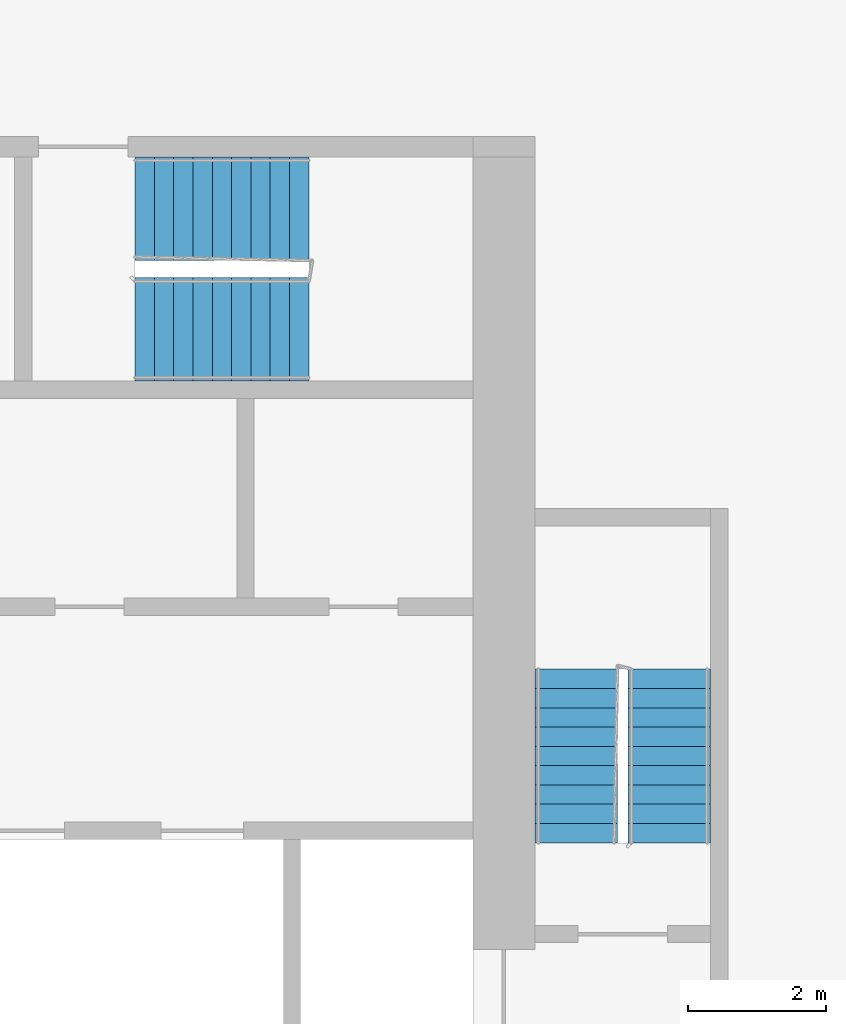
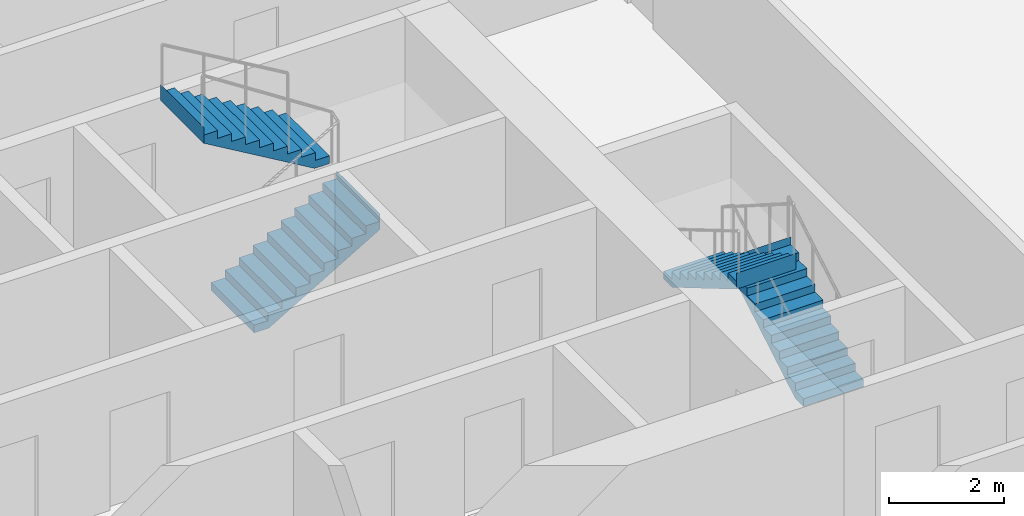
# One storey, part 10 of 11: 4 stair flights, 2 elements without a shape of their own.
"""IFC4 building model written with IfcOpenShell, lengths in metres."""

from ifc_helpers import new_model, si_unit, direction, frame, origin, place, context, subcontext, project, spatial, faceted_brep, material, type_object, element, aggregate, save


model = new_model("IFC4")

# Units and contexts
model_context = context("Model", 3, precision=1e-05, world=origin(), true_north=direction((0.0, 1.0)))
body_context = subcontext(model_context, "Body", "Model", "MODEL_VIEW")
ifc_project = project(units=[si_unit("LENGTHUNIT", "METRE"), si_unit("AREAUNIT", "SQUARE_METRE"), si_unit("VOLUMEUNIT", "CUBIC_METRE"), si_unit("PLANEANGLEUNIT", "RADIAN"), si_unit("MASSUNIT", "GRAM", prefix="KILO")], contexts=[model_context])

# Site, building, storey
site_placement = place(None, origin())
site = spatial("IfcSite", under=ifc_project, at=site_placement, CompositionType="ELEMENT")
building_placement = place(site_placement, origin())
building = spatial("IfcBuilding", under=site, at=building_placement, Name="Kajstack Hotel Tower", CompositionType="ELEMENT")
storey_placement = place(building_placement, frame((0.0, 0.0, 230.89990234375)))
storey = spatial("IfcBuildingStorey", under=building, at=storey_placement, Name="L56", CompositionType="ELEMENT", Elevation=230.89990234375)

# Stair, stair flights
ifc_material = material(Name="Concrete C40/50", Category="concrete")
stair_type_1 = type_object("IfcStairType", Name="Exit stair 1200", PredefinedType="HALF_TURN_STAIR", material=ifc_material)
stair_1_placement = place(storey_placement, origin())
stair_1 = element("IfcStair", 1, at=stair_1_placement, inside=storey, type_object=stair_type_1, Name="L56 stair E1", PredefinedType="HALF_TURN_STAIR")
stair_flight_type_1 = type_object("IfcStairFlightType", Name="Exit stair flight 1200", PredefinedType="STRAIGHT", material=ifc_material)
stair_flight_1_placement = place(storey_placement, frame((33.449951171875, 5.25, 0.0), z_axis=(0.0, 0.0, 1.0), x_axis=(0.0, 1.0, 0.0)))
stair_flight_1 = element("IfcStairFlight", 2, at=stair_flight_1_placement, type_object=stair_flight_type_1, Name="E1 flight 1", NumberOfRisers=10, NumberOfTreads=9, PredefinedType="STRAIGHT", RiserHeight=0.165, TreadLength=0.28, context=body_context, shape_type="Brep", body=[
    faceted_brep([(0.295654296875, -0.60009765625, 0.0), (2.5205078125, -0.60009765625, 1.31103515625), (2.5205078125, -0.60009765625, 1.64990234375), (2.52001953125, -0.60009765625, 1.64990234375), (2.52001953125, -0.60009765625, 1.485107421875), (2.239990234375, -0.60009765625, 1.485107421875), (2.239990234375, -0.60009765625, 1.320068359375), (1.9599609375, -0.60009765625, 1.320068359375), (1.9599609375, -0.60009765625, 1.155029296875), (1.679931640625, -0.60009765625, 1.155029296875), (1.679931640625, -0.60009765625, 0.989990234375), (1.39990234375, -0.60009765625, 0.989990234375), (1.39990234375, -0.60009765625, 0.824951171875), (1.1201171875, -0.60009765625, 0.824951171875), (1.1201171875, -0.60009765625, 0.659912109375), (0.840087890625, -0.60009765625, 0.659912109375), (0.840087890625, -0.60009765625, 0.4951171875), (0.56005859375, -0.60009765625, 0.4951171875), (0.56005859375, -0.60009765625, 0.330078125), (0.280029296875, -0.60009765625, 0.330078125), (0.280029296875, -0.60009765625, 0.1650390625), (-0.00048828125, -0.60009765625, 0.1650390625), (-0.00048828125, -0.60009765625, 0.0), (-0.00048828125, 0.60009765625, 0.0), (-0.00048828125, 0.60009765625, 0.1650390625), (0.280029296875, 0.60009765625, 0.1650390625), (0.280029296875, 0.60009765625, 0.330078125), (0.56005859375, 0.60009765625, 0.330078125), (0.56005859375, 0.60009765625, 0.4951171875), (0.840087890625, 0.60009765625, 0.4951171875), (0.840087890625, 0.60009765625, 0.659912109375), (1.1201171875, 0.60009765625, 0.659912109375), (1.1201171875, 0.60009765625, 0.824951171875), (1.39990234375, 0.60009765625, 0.824951171875), (1.39990234375, 0.60009765625, 0.989990234375), (1.679931640625, 0.60009765625, 0.989990234375), (1.679931640625, 0.60009765625, 1.155029296875), (1.9599609375, 0.60009765625, 1.155029296875), (1.9599609375, 0.60009765625, 1.320068359375), (2.239990234375, 0.60009765625, 1.320068359375), (2.239990234375, 0.60009765625, 1.485107421875), (2.52001953125, 0.60009765625, 1.485107421875), (2.52001953125, 0.60009765625, 1.64990234375), (2.5205078125, 0.60009765625, 1.64990234375), (2.5205078125, 0.60009765625, 1.31103515625), (0.295654296875, 0.60009765625, 0.0), (-0.00048828125, -0.300048828125, 0.1650390625), (-0.00048828125, 0.0, 0.1650390625), (-0.00048828125, 0.300048828125, 0.1650390625), (-0.00048828125, 0.300048828125, 0.0), (-0.00048828125, 0.0, 0.0), (-0.00048828125, -0.300048828125, 0.0), (0.280029296875, -0.300048828125, 0.1650390625), (0.280029296875, 0.0, 0.1650390625), (0.280029296875, 0.300048828125, 0.1650390625), (0.280029296875, -0.300048828125, 0.330078125), (0.280029296875, 0.0, 0.330078125), (0.280029296875, 0.300048828125, 0.330078125), (0.56005859375, -0.300048828125, 0.330078125), (0.56005859375, 0.0, 0.330078125), (0.56005859375, 0.300048828125, 0.330078125), (0.56005859375, -0.300048828125, 0.4951171875), (0.56005859375, 0.0, 0.4951171875), (0.56005859375, 0.300048828125, 0.4951171875), (0.840087890625, -0.300048828125, 0.4951171875), (0.840087890625, 0.0, 0.4951171875), (0.840087890625, 0.300048828125, 0.4951171875), (0.840087890625, -0.300048828125, 0.659912109375), (0.840087890625, 0.0, 0.659912109375), (0.840087890625, 0.300048828125, 0.659912109375), (1.1201171875, -0.300048828125, 0.659912109375), (1.1201171875, 0.0, 0.659912109375), (1.1201171875, 0.300048828125, 0.659912109375), (1.1201171875, -0.300048828125, 0.824951171875), (1.1201171875, 0.0, 0.824951171875), (1.1201171875, 0.300048828125, 0.824951171875), (1.39990234375, -0.300048828125, 0.824951171875), (1.39990234375, 0.0, 0.824951171875), (1.39990234375, 0.300048828125, 0.824951171875), (1.39990234375, -0.300048828125, 0.989990234375), (1.39990234375, 0.0, 0.989990234375), (1.39990234375, 0.300048828125, 0.989990234375), (1.679931640625, -0.300048828125, 0.989990234375), (1.679931640625, 0.0, 0.989990234375), (1.679931640625, 0.300048828125, 0.989990234375), (1.679931640625, -0.300048828125, 1.155029296875), (1.679931640625, 0.0, 1.155029296875), (1.679931640625, 0.300048828125, 1.155029296875), (1.9599609375, -0.300048828125, 1.155029296875), (1.9599609375, 0.0, 1.155029296875), (1.9599609375, 0.300048828125, 1.155029296875), (1.9599609375, -0.300048828125, 1.320068359375), (1.9599609375, 0.0, 1.320068359375), (1.9599609375, 0.300048828125, 1.320068359375), (2.239990234375, -0.300048828125, 1.320068359375), (2.239990234375, 0.0, 1.320068359375), (2.239990234375, 0.300048828125, 1.320068359375), (2.239990234375, -0.300048828125, 1.485107421875), (2.239990234375, 0.0, 1.485107421875), (2.239990234375, 0.300048828125, 1.485107421875), (2.52001953125, -0.300048828125, 1.485107421875), (2.52001953125, 0.0, 1.485107421875), (2.52001953125, 0.300048828125, 1.485107421875), (2.52001953125, -0.300048828125, 1.64990234375), (2.52001953125, 0.0, 1.64990234375), (2.52001953125, 0.300048828125, 1.64990234375), (2.5205078125, -0.300048828125, 1.64990234375), (2.5205078125, 0.0, 1.64990234375), (2.5205078125, 0.300048828125, 1.64990234375), (2.5205078125, -0.300048828125, 1.31103515625), (2.5205078125, 0.0, 1.31103515625), (2.5205078125, 0.300048828125, 1.31103515625), (0.295654296875, -0.300048828125, 0.0), (0.295654296875, 0.0, 0.0), (0.295654296875, 0.300048828125, 0.0)], [[[0, 1, 2, 3, 4, 5, 6, 7, 8, 9, 10, 11, 12, 13, 14, 15, 16, 17, 18, 19, 20, 21, 22]], [[23, 24, 25, 26, 27, 28, 29, 30, 31, 32, 33, 34, 35, 36, 37, 38, 39, 40, 41, 42, 43, 44, 45]], [[21, 46, 47, 48, 24, 23, 49, 50, 51, 22]], [[20, 52, 53, 54, 25, 24, 48, 47, 46, 21]], [[19, 55, 56, 57, 26, 25, 54, 53, 52, 20]], [[18, 58, 59, 60, 27, 26, 57, 56, 55, 19]], [[17, 61, 62, 63, 28, 27, 60, 59, 58, 18]], [[16, 64, 65, 66, 29, 28, 63, 62, 61, 17]], [[15, 67, 68, 69, 30, 29, 66, 65, 64, 16]], [[14, 70, 71, 72, 31, 30, 69, 68, 67, 15]], [[13, 73, 74, 75, 32, 31, 72, 71, 70, 14]], [[12, 76, 77, 78, 33, 32, 75, 74, 73, 13]], [[11, 79, 80, 81, 34, 33, 78, 77, 76, 12]], [[10, 82, 83, 84, 35, 34, 81, 80, 79, 11]], [[9, 85, 86, 87, 36, 35, 84, 83, 82, 10]], [[8, 88, 89, 90, 37, 36, 87, 86, 85, 9]], [[7, 91, 92, 93, 38, 37, 90, 89, 88, 8]], [[6, 94, 95, 96, 39, 38, 93, 92, 91, 7]], [[5, 97, 98, 99, 40, 39, 96, 95, 94, 6]], [[4, 100, 101, 102, 41, 40, 99, 98, 97, 5]], [[3, 103, 104, 105, 42, 41, 102, 101, 100, 4]], [[2, 106, 107, 108, 43, 42, 105, 104, 103, 3]], [[1, 109, 110, 111, 44, 43, 108, 107, 106, 2]], [[0, 112, 113, 114, 45, 44, 111, 110, 109, 1]], [[22, 51, 50, 49, 23, 45, 114, 113, 112, 0]]]),
])
stair_flight_2_placement = place(storey_placement, frame((32.10009765625, 7.77001953125, 1.650146484375), z_axis=(0.0, 0.0, 1.0), x_axis=(0.0, -1.0, 0.0)))
stair_flight_2 = element("IfcStairFlight", 3, at=stair_flight_2_placement, type_object=stair_flight_type_1, Name="E1 flight 2", NumberOfRisers=10, NumberOfTreads=9, PredefinedType="STRAIGHT", RiserHeight=0.165, TreadLength=0.28, context=body_context, shape_type="Brep", body=[
    faceted_brep([(0.295654296875, -0.60009765625, 0.0), (2.5205078125, -0.60009765625, 1.31103515625), (2.5205078125, -0.60009765625, 1.64990234375), (2.52001953125, -0.60009765625, 1.64990234375), (2.52001953125, -0.60009765625, 1.485107421875), (2.239990234375, -0.60009765625, 1.485107421875), (2.239990234375, -0.60009765625, 1.320068359375), (1.9599609375, -0.60009765625, 1.320068359375), (1.9599609375, -0.60009765625, 1.155029296875), (1.679931640625, -0.60009765625, 1.155029296875), (1.679931640625, -0.60009765625, 0.989990234375), (1.39990234375, -0.60009765625, 0.989990234375), (1.39990234375, -0.60009765625, 0.824951171875), (1.1201171875, -0.60009765625, 0.824951171875), (1.1201171875, -0.60009765625, 0.659912109375), (0.840087890625, -0.60009765625, 0.659912109375), (0.840087890625, -0.60009765625, 0.4951171875), (0.56005859375, -0.60009765625, 0.4951171875), (0.56005859375, -0.60009765625, 0.330078125), (0.280029296875, -0.60009765625, 0.330078125), (0.280029296875, -0.60009765625, 0.1650390625), (-0.00048828125, -0.60009765625, 0.1650390625), (-0.00048828125, -0.60009765625, 0.0), (-0.00048828125, 0.60009765625, 0.0), (-0.00048828125, 0.60009765625, 0.1650390625), (0.280029296875, 0.60009765625, 0.1650390625), (0.280029296875, 0.60009765625, 0.330078125), (0.56005859375, 0.60009765625, 0.330078125), (0.56005859375, 0.60009765625, 0.4951171875), (0.840087890625, 0.60009765625, 0.4951171875), (0.840087890625, 0.60009765625, 0.659912109375), (1.1201171875, 0.60009765625, 0.659912109375), (1.1201171875, 0.60009765625, 0.824951171875), (1.39990234375, 0.60009765625, 0.824951171875), (1.39990234375, 0.60009765625, 0.989990234375), (1.679931640625, 0.60009765625, 0.989990234375), (1.679931640625, 0.60009765625, 1.155029296875), (1.9599609375, 0.60009765625, 1.155029296875), (1.9599609375, 0.60009765625, 1.320068359375), (2.239990234375, 0.60009765625, 1.320068359375), (2.239990234375, 0.60009765625, 1.485107421875), (2.52001953125, 0.60009765625, 1.485107421875), (2.52001953125, 0.60009765625, 1.64990234375), (2.5205078125, 0.60009765625, 1.64990234375), (2.5205078125, 0.60009765625, 1.31103515625), (0.295654296875, 0.60009765625, 0.0), (-0.00048828125, -0.300048828125, 0.1650390625), (-0.00048828125, 0.0, 0.1650390625), (-0.00048828125, 0.300048828125, 0.1650390625), (-0.00048828125, 0.300048828125, 0.0), (-0.00048828125, 0.0, 0.0), (-0.00048828125, -0.300048828125, 0.0), (0.280029296875, -0.300048828125, 0.1650390625), (0.280029296875, 0.0, 0.1650390625), (0.280029296875, 0.300048828125, 0.1650390625), (0.280029296875, -0.300048828125, 0.330078125), (0.280029296875, 0.0, 0.330078125), (0.280029296875, 0.300048828125, 0.330078125), (0.56005859375, -0.300048828125, 0.330078125), (0.56005859375, 0.0, 0.330078125), (0.56005859375, 0.300048828125, 0.330078125), (0.56005859375, -0.300048828125, 0.4951171875), (0.56005859375, 0.0, 0.4951171875), (0.56005859375, 0.300048828125, 0.4951171875), (0.840087890625, -0.300048828125, 0.4951171875), (0.840087890625, 0.0, 0.4951171875), (0.840087890625, 0.300048828125, 0.4951171875), (0.840087890625, -0.300048828125, 0.659912109375), (0.840087890625, 0.0, 0.659912109375), (0.840087890625, 0.300048828125, 0.659912109375), (1.1201171875, -0.300048828125, 0.659912109375), (1.1201171875, 0.0, 0.659912109375), (1.1201171875, 0.300048828125, 0.659912109375), (1.1201171875, -0.300048828125, 0.824951171875), (1.1201171875, 0.0, 0.824951171875), (1.1201171875, 0.300048828125, 0.824951171875), (1.39990234375, -0.300048828125, 0.824951171875), (1.39990234375, 0.0, 0.824951171875), (1.39990234375, 0.300048828125, 0.824951171875), (1.39990234375, -0.300048828125, 0.989990234375), (1.39990234375, 0.0, 0.989990234375), (1.39990234375, 0.300048828125, 0.989990234375), (1.679931640625, -0.300048828125, 0.989990234375), (1.679931640625, 0.0, 0.989990234375), (1.679931640625, 0.300048828125, 0.989990234375), (1.679931640625, -0.300048828125, 1.155029296875), (1.679931640625, 0.0, 1.155029296875), (1.679931640625, 0.300048828125, 1.155029296875), (1.9599609375, -0.300048828125, 1.155029296875), (1.9599609375, 0.0, 1.155029296875), (1.9599609375, 0.300048828125, 1.155029296875), (1.9599609375, -0.300048828125, 1.320068359375), (1.9599609375, 0.0, 1.320068359375), (1.9599609375, 0.300048828125, 1.320068359375), (2.239990234375, -0.300048828125, 1.320068359375), (2.239990234375, 0.0, 1.320068359375), (2.239990234375, 0.300048828125, 1.320068359375), (2.239990234375, -0.300048828125, 1.485107421875), (2.239990234375, 0.0, 1.485107421875), (2.239990234375, 0.300048828125, 1.485107421875), (2.52001953125, -0.300048828125, 1.485107421875), (2.52001953125, 0.0, 1.485107421875), (2.52001953125, 0.300048828125, 1.485107421875), (2.52001953125, -0.300048828125, 1.64990234375), (2.52001953125, 0.0, 1.64990234375), (2.52001953125, 0.300048828125, 1.64990234375), (2.5205078125, -0.300048828125, 1.64990234375), (2.5205078125, 0.0, 1.64990234375), (2.5205078125, 0.300048828125, 1.64990234375), (2.5205078125, -0.300048828125, 1.31103515625), (2.5205078125, 0.0, 1.31103515625), (2.5205078125, 0.300048828125, 1.31103515625), (0.295654296875, -0.300048828125, 0.0), (0.295654296875, 0.0, 0.0), (0.295654296875, 0.300048828125, 0.0)], [[[0, 1, 2, 3, 4, 5, 6, 7, 8, 9, 10, 11, 12, 13, 14, 15, 16, 17, 18, 19, 20, 21, 22]], [[23, 24, 25, 26, 27, 28, 29, 30, 31, 32, 33, 34, 35, 36, 37, 38, 39, 40, 41, 42, 43, 44, 45]], [[21, 46, 47, 48, 24, 23, 49, 50, 51, 22]], [[20, 52, 53, 54, 25, 24, 48, 47, 46, 21]], [[19, 55, 56, 57, 26, 25, 54, 53, 52, 20]], [[18, 58, 59, 60, 27, 26, 57, 56, 55, 19]], [[17, 61, 62, 63, 28, 27, 60, 59, 58, 18]], [[16, 64, 65, 66, 29, 28, 63, 62, 61, 17]], [[15, 67, 68, 69, 30, 29, 66, 65, 64, 16]], [[14, 70, 71, 72, 31, 30, 69, 68, 67, 15]], [[13, 73, 74, 75, 32, 31, 72, 71, 70, 14]], [[12, 76, 77, 78, 33, 32, 75, 74, 73, 13]], [[11, 79, 80, 81, 34, 33, 78, 77, 76, 12]], [[10, 82, 83, 84, 35, 34, 81, 80, 79, 11]], [[9, 85, 86, 87, 36, 35, 84, 83, 82, 10]], [[8, 88, 89, 90, 37, 36, 87, 86, 85, 9]], [[7, 91, 92, 93, 38, 37, 90, 89, 88, 8]], [[6, 94, 95, 96, 39, 38, 93, 92, 91, 7]], [[5, 97, 98, 99, 40, 39, 96, 95, 94, 6]], [[4, 100, 101, 102, 41, 40, 99, 98, 97, 5]], [[3, 103, 104, 105, 42, 41, 102, 101, 100, 4]], [[2, 106, 107, 108, 43, 42, 105, 104, 103, 3]], [[1, 109, 110, 111, 44, 43, 108, 107, 106, 2]], [[0, 112, 113, 114, 45, 44, 111, 110, 109, 1]], [[22, 51, 50, 49, 23, 45, 114, 113, 112, 0]]]),
])
aggregate(stair_1, [stair_flight_1, stair_flight_2])

stair_type_2 = type_object("IfcStairType", Name="Exit stair 1500", PredefinedType="HALF_TURN_STAIR", material=ifc_material)
stair_2_placement = place(storey_placement, origin())
stair_2 = element("IfcStair", 4, at=stair_2_placement, inside=storey, type_object=stair_type_2, Name="L56 stair E3", PredefinedType="HALF_TURN_STAIR")
stair_flight_type_2 = type_object("IfcStairFlightType", Name="Exit stair flight 1500", PredefinedType="STRAIGHT", material=ifc_material)
stair_flight_3_placement = place(storey_placement, frame((25.699951171875, 12.699951171875, 0.0), z_axis=(0.0, 0.0, 1.0), x_axis=(1.0, 0.0, 0.0)))
stair_flight_3 = element("IfcStairFlight", 5, at=stair_flight_3_placement, type_object=stair_flight_type_2, Name="E3 flight 1", NumberOfRisers=10, NumberOfTreads=9, PredefinedType="STRAIGHT", RiserHeight=0.165, TreadLength=0.28, context=body_context, shape_type="Brep", body=[
    faceted_brep([(0.295654296875, -0.75, 0.0), (2.5205078125, -0.75, 1.31103515625), (2.5205078125, -0.75, 1.64990234375), (2.52001953125, -0.75, 1.64990234375), (2.52001953125, -0.75, 1.485107421875), (2.239990234375, -0.75, 1.485107421875), (2.239990234375, -0.75, 1.320068359375), (1.9599609375, -0.75, 1.320068359375), (1.9599609375, -0.75, 1.155029296875), (1.679931640625, -0.75, 1.155029296875), (1.679931640625, -0.75, 0.989990234375), (1.39990234375, -0.75, 0.989990234375), (1.39990234375, -0.75, 0.824951171875), (1.1201171875, -0.75, 0.824951171875), (1.1201171875, -0.75, 0.659912109375), (0.840087890625, -0.75, 0.659912109375), (0.840087890625, -0.75, 0.4951171875), (0.56005859375, -0.75, 0.4951171875), (0.56005859375, -0.75, 0.330078125), (0.280029296875, -0.75, 0.330078125), (0.280029296875, -0.75, 0.1650390625), (-0.00048828125, -0.75, 0.1650390625), (-0.00048828125, -0.75, 0.0), (-0.00048828125, 0.75, 0.0), (-0.00048828125, 0.75, 0.1650390625), (0.280029296875, 0.75, 0.1650390625), (0.280029296875, 0.75, 0.330078125), (0.56005859375, 0.75, 0.330078125), (0.56005859375, 0.75, 0.4951171875), (0.840087890625, 0.75, 0.4951171875), (0.840087890625, 0.75, 0.659912109375), (1.1201171875, 0.75, 0.659912109375), (1.1201171875, 0.75, 0.824951171875), (1.39990234375, 0.75, 0.824951171875), (1.39990234375, 0.75, 0.989990234375), (1.679931640625, 0.75, 0.989990234375), (1.679931640625, 0.75, 1.155029296875), (1.9599609375, 0.75, 1.155029296875), (1.9599609375, 0.75, 1.320068359375), (2.239990234375, 0.75, 1.320068359375), (2.239990234375, 0.75, 1.485107421875), (2.52001953125, 0.75, 1.485107421875), (2.52001953125, 0.75, 1.64990234375), (2.5205078125, 0.75, 1.64990234375), (2.5205078125, 0.75, 1.31103515625), (0.295654296875, 0.75, 0.0), (-0.00048828125, -0.375, 0.1650390625), (-0.00048828125, 0.0, 0.1650390625), (-0.00048828125, 0.375, 0.1650390625), (-0.00048828125, 0.375, 0.0), (-0.00048828125, 0.0, 0.0), (-0.00048828125, -0.375, 0.0), (0.280029296875, -0.375, 0.1650390625), (0.280029296875, 0.0, 0.1650390625), (0.280029296875, 0.375, 0.1650390625), (0.280029296875, -0.375, 0.330078125), (0.280029296875, 0.0, 0.330078125), (0.280029296875, 0.375, 0.330078125), (0.56005859375, -0.375, 0.330078125), (0.56005859375, 0.0, 0.330078125), (0.56005859375, 0.375, 0.330078125), (0.56005859375, -0.375, 0.4951171875), (0.56005859375, 0.0, 0.4951171875), (0.56005859375, 0.375, 0.4951171875), (0.840087890625, -0.375, 0.4951171875), (0.840087890625, 0.0, 0.4951171875), (0.840087890625, 0.375, 0.4951171875), (0.840087890625, -0.375, 0.659912109375), (0.840087890625, 0.0, 0.659912109375), (0.840087890625, 0.375, 0.659912109375), (1.1201171875, -0.375, 0.659912109375), (1.1201171875, 0.0, 0.659912109375), (1.1201171875, 0.375, 0.659912109375), (1.1201171875, -0.375, 0.824951171875), (1.1201171875, 0.0, 0.824951171875), (1.1201171875, 0.375, 0.824951171875), (1.39990234375, -0.375, 0.824951171875), (1.39990234375, 0.0, 0.824951171875), (1.39990234375, 0.375, 0.824951171875), (1.39990234375, -0.375, 0.989990234375), (1.39990234375, 0.0, 0.989990234375), (1.39990234375, 0.375, 0.989990234375), (1.679931640625, -0.375, 0.989990234375), (1.679931640625, 0.0, 0.989990234375), (1.679931640625, 0.375, 0.989990234375), (1.679931640625, -0.375, 1.155029296875), (1.679931640625, 0.0, 1.155029296875), (1.679931640625, 0.375, 1.155029296875), (1.9599609375, -0.375, 1.155029296875), (1.9599609375, 0.0, 1.155029296875), (1.9599609375, 0.375, 1.155029296875), (1.9599609375, -0.375, 1.320068359375), (1.9599609375, 0.0, 1.320068359375), (1.9599609375, 0.375, 1.320068359375), (2.239990234375, -0.375, 1.320068359375), (2.239990234375, 0.0, 1.320068359375), (2.239990234375, 0.375, 1.320068359375), (2.239990234375, -0.375, 1.485107421875), (2.239990234375, 0.0, 1.485107421875), (2.239990234375, 0.375, 1.485107421875), (2.52001953125, -0.375, 1.485107421875), (2.52001953125, 0.0, 1.485107421875), (2.52001953125, 0.375, 1.485107421875), (2.52001953125, -0.375, 1.64990234375), (2.52001953125, 0.0, 1.64990234375), (2.52001953125, 0.375, 1.64990234375), (2.5205078125, -0.375, 1.64990234375), (2.5205078125, 0.0, 1.64990234375), (2.5205078125, 0.375, 1.64990234375), (2.5205078125, -0.375, 1.31103515625), (2.5205078125, 0.0, 1.31103515625), (2.5205078125, 0.375, 1.31103515625), (0.295654296875, -0.375, 0.0), (0.295654296875, 0.0, 0.0), (0.295654296875, 0.375, 0.0)], [[[0, 1, 2, 3, 4, 5, 6, 7, 8, 9, 10, 11, 12, 13, 14, 15, 16, 17, 18, 19, 20, 21, 22]], [[23, 24, 25, 26, 27, 28, 29, 30, 31, 32, 33, 34, 35, 36, 37, 38, 39, 40, 41, 42, 43, 44, 45]], [[21, 46, 47, 48, 24, 23, 49, 50, 51, 22]], [[20, 52, 53, 54, 25, 24, 48, 47, 46, 21]], [[19, 55, 56, 57, 26, 25, 54, 53, 52, 20]], [[18, 58, 59, 60, 27, 26, 57, 56, 55, 19]], [[17, 61, 62, 63, 28, 27, 60, 59, 58, 18]], [[16, 64, 65, 66, 29, 28, 63, 62, 61, 17]], [[15, 67, 68, 69, 30, 29, 66, 65, 64, 16]], [[14, 70, 71, 72, 31, 30, 69, 68, 67, 15]], [[13, 73, 74, 75, 32, 31, 72, 71, 70, 14]], [[12, 76, 77, 78, 33, 32, 75, 74, 73, 13]], [[11, 79, 80, 81, 34, 33, 78, 77, 76, 12]], [[10, 82, 83, 84, 35, 34, 81, 80, 79, 11]], [[9, 85, 86, 87, 36, 35, 84, 83, 82, 10]], [[8, 88, 89, 90, 37, 36, 87, 86, 85, 9]], [[7, 91, 92, 93, 38, 37, 90, 89, 88, 8]], [[6, 94, 95, 96, 39, 38, 93, 92, 91, 7]], [[5, 97, 98, 99, 40, 39, 96, 95, 94, 6]], [[4, 100, 101, 102, 41, 40, 99, 98, 97, 5]], [[3, 103, 104, 105, 42, 41, 102, 101, 100, 4]], [[2, 106, 107, 108, 43, 42, 105, 104, 103, 3]], [[1, 109, 110, 111, 44, 43, 108, 107, 106, 2]], [[0, 112, 113, 114, 45, 44, 111, 110, 109, 1]], [[22, 51, 50, 49, 23, 45, 114, 113, 112, 0]]]),
])
stair_flight_4_placement = place(storey_placement, frame((28.219970703125, 14.449951171875, 1.650146484375), z_axis=(0.0, 0.0, 1.0), x_axis=(-1.0, 0.0, 0.0)))
stair_flight_4 = element("IfcStairFlight", 6, at=stair_flight_4_placement, type_object=stair_flight_type_2, Name="E3 flight 2", NumberOfRisers=10, NumberOfTreads=9, PredefinedType="STRAIGHT", RiserHeight=0.165, TreadLength=0.28, context=body_context, shape_type="Brep", body=[
    faceted_brep([(0.295654296875, -0.75, 0.0), (2.5205078125, -0.75, 1.31103515625), (2.5205078125, -0.75, 1.64990234375), (2.52001953125, -0.75, 1.64990234375), (2.52001953125, -0.75, 1.485107421875), (2.239990234375, -0.75, 1.485107421875), (2.239990234375, -0.75, 1.320068359375), (1.9599609375, -0.75, 1.320068359375), (1.9599609375, -0.75, 1.155029296875), (1.679931640625, -0.75, 1.155029296875), (1.679931640625, -0.75, 0.989990234375), (1.39990234375, -0.75, 0.989990234375), (1.39990234375, -0.75, 0.824951171875), (1.1201171875, -0.75, 0.824951171875), (1.1201171875, -0.75, 0.659912109375), (0.840087890625, -0.75, 0.659912109375), (0.840087890625, -0.75, 0.4951171875), (0.56005859375, -0.75, 0.4951171875), (0.56005859375, -0.75, 0.330078125), (0.280029296875, -0.75, 0.330078125), (0.280029296875, -0.75, 0.1650390625), (-0.00048828125, -0.75, 0.1650390625), (-0.00048828125, -0.75, 0.0), (-0.00048828125, 0.75, 0.0), (-0.00048828125, 0.75, 0.1650390625), (0.280029296875, 0.75, 0.1650390625), (0.280029296875, 0.75, 0.330078125), (0.56005859375, 0.75, 0.330078125), (0.56005859375, 0.75, 0.4951171875), (0.840087890625, 0.75, 0.4951171875), (0.840087890625, 0.75, 0.659912109375), (1.1201171875, 0.75, 0.659912109375), (1.1201171875, 0.75, 0.824951171875), (1.39990234375, 0.75, 0.824951171875), (1.39990234375, 0.75, 0.989990234375), (1.679931640625, 0.75, 0.989990234375), (1.679931640625, 0.75, 1.155029296875), (1.9599609375, 0.75, 1.155029296875), (1.9599609375, 0.75, 1.320068359375), (2.239990234375, 0.75, 1.320068359375), (2.239990234375, 0.75, 1.485107421875), (2.52001953125, 0.75, 1.485107421875), (2.52001953125, 0.75, 1.64990234375), (2.5205078125, 0.75, 1.64990234375), (2.5205078125, 0.75, 1.31103515625), (0.295654296875, 0.75, 0.0), (-0.00048828125, -0.375, 0.1650390625), (-0.00048828125, 0.0, 0.1650390625), (-0.00048828125, 0.375, 0.1650390625), (-0.00048828125, 0.375, 0.0), (-0.00048828125, 0.0, 0.0), (-0.00048828125, -0.375, 0.0), (0.280029296875, -0.375, 0.1650390625), (0.280029296875, 0.0, 0.1650390625), (0.280029296875, 0.375, 0.1650390625), (0.280029296875, -0.375, 0.330078125), (0.280029296875, 0.0, 0.330078125), (0.280029296875, 0.375, 0.330078125), (0.56005859375, -0.375, 0.330078125), (0.56005859375, 0.0, 0.330078125), (0.56005859375, 0.375, 0.330078125), (0.56005859375, -0.375, 0.4951171875), (0.56005859375, 0.0, 0.4951171875), (0.56005859375, 0.375, 0.4951171875), (0.840087890625, -0.375, 0.4951171875), (0.840087890625, 0.0, 0.4951171875), (0.840087890625, 0.375, 0.4951171875), (0.840087890625, -0.375, 0.659912109375), (0.840087890625, 0.0, 0.659912109375), (0.840087890625, 0.375, 0.659912109375), (1.1201171875, -0.375, 0.659912109375), (1.1201171875, 0.0, 0.659912109375), (1.1201171875, 0.375, 0.659912109375), (1.1201171875, -0.375, 0.824951171875), (1.1201171875, 0.0, 0.824951171875), (1.1201171875, 0.375, 0.824951171875), (1.39990234375, -0.375, 0.824951171875), (1.39990234375, 0.0, 0.824951171875), (1.39990234375, 0.375, 0.824951171875), (1.39990234375, -0.375, 0.989990234375), (1.39990234375, 0.0, 0.989990234375), (1.39990234375, 0.375, 0.989990234375), (1.679931640625, -0.375, 0.989990234375), (1.679931640625, 0.0, 0.989990234375), (1.679931640625, 0.375, 0.989990234375), (1.679931640625, -0.375, 1.155029296875), (1.679931640625, 0.0, 1.155029296875), (1.679931640625, 0.375, 1.155029296875), (1.9599609375, -0.375, 1.155029296875), (1.9599609375, 0.0, 1.155029296875), (1.9599609375, 0.375, 1.155029296875), (1.9599609375, -0.375, 1.320068359375), (1.9599609375, 0.0, 1.320068359375), (1.9599609375, 0.375, 1.320068359375), (2.239990234375, -0.375, 1.320068359375), (2.239990234375, 0.0, 1.320068359375), (2.239990234375, 0.375, 1.320068359375), (2.239990234375, -0.375, 1.485107421875), (2.239990234375, 0.0, 1.485107421875), (2.239990234375, 0.375, 1.485107421875), (2.52001953125, -0.375, 1.485107421875), (2.52001953125, 0.0, 1.485107421875), (2.52001953125, 0.375, 1.485107421875), (2.52001953125, -0.375, 1.64990234375), (2.52001953125, 0.0, 1.64990234375), (2.52001953125, 0.375, 1.64990234375), (2.5205078125, -0.375, 1.64990234375), (2.5205078125, 0.0, 1.64990234375), (2.5205078125, 0.375, 1.64990234375), (2.5205078125, -0.375, 1.31103515625), (2.5205078125, 0.0, 1.31103515625), (2.5205078125, 0.375, 1.31103515625), (0.295654296875, -0.375, 0.0), (0.295654296875, 0.0, 0.0), (0.295654296875, 0.375, 0.0)], [[[0, 1, 2, 3, 4, 5, 6, 7, 8, 9, 10, 11, 12, 13, 14, 15, 16, 17, 18, 19, 20, 21, 22]], [[23, 24, 25, 26, 27, 28, 29, 30, 31, 32, 33, 34, 35, 36, 37, 38, 39, 40, 41, 42, 43, 44, 45]], [[21, 46, 47, 48, 24, 23, 49, 50, 51, 22]], [[20, 52, 53, 54, 25, 24, 48, 47, 46, 21]], [[19, 55, 56, 57, 26, 25, 54, 53, 52, 20]], [[18, 58, 59, 60, 27, 26, 57, 56, 55, 19]], [[17, 61, 62, 63, 28, 27, 60, 59, 58, 18]], [[16, 64, 65, 66, 29, 28, 63, 62, 61, 17]], [[15, 67, 68, 69, 30, 29, 66, 65, 64, 16]], [[14, 70, 71, 72, 31, 30, 69, 68, 67, 15]], [[13, 73, 74, 75, 32, 31, 72, 71, 70, 14]], [[12, 76, 77, 78, 33, 32, 75, 74, 73, 13]], [[11, 79, 80, 81, 34, 33, 78, 77, 76, 12]], [[10, 82, 83, 84, 35, 34, 81, 80, 79, 11]], [[9, 85, 86, 87, 36, 35, 84, 83, 82, 10]], [[8, 88, 89, 90, 37, 36, 87, 86, 85, 9]], [[7, 91, 92, 93, 38, 37, 90, 89, 88, 8]], [[6, 94, 95, 96, 39, 38, 93, 92, 91, 7]], [[5, 97, 98, 99, 40, 39, 96, 95, 94, 6]], [[4, 100, 101, 102, 41, 40, 99, 98, 97, 5]], [[3, 103, 104, 105, 42, 41, 102, 101, 100, 4]], [[2, 106, 107, 108, 43, 42, 105, 104, 103, 3]], [[1, 109, 110, 111, 44, 43, 108, 107, 106, 2]], [[0, 112, 113, 114, 45, 44, 111, 110, 109, 1]], [[22, 51, 50, 49, 23, 45, 114, 113, 112, 0]]]),
])
aggregate(stair_2, [stair_flight_3, stair_flight_4])

save(model, "model.ifc")
